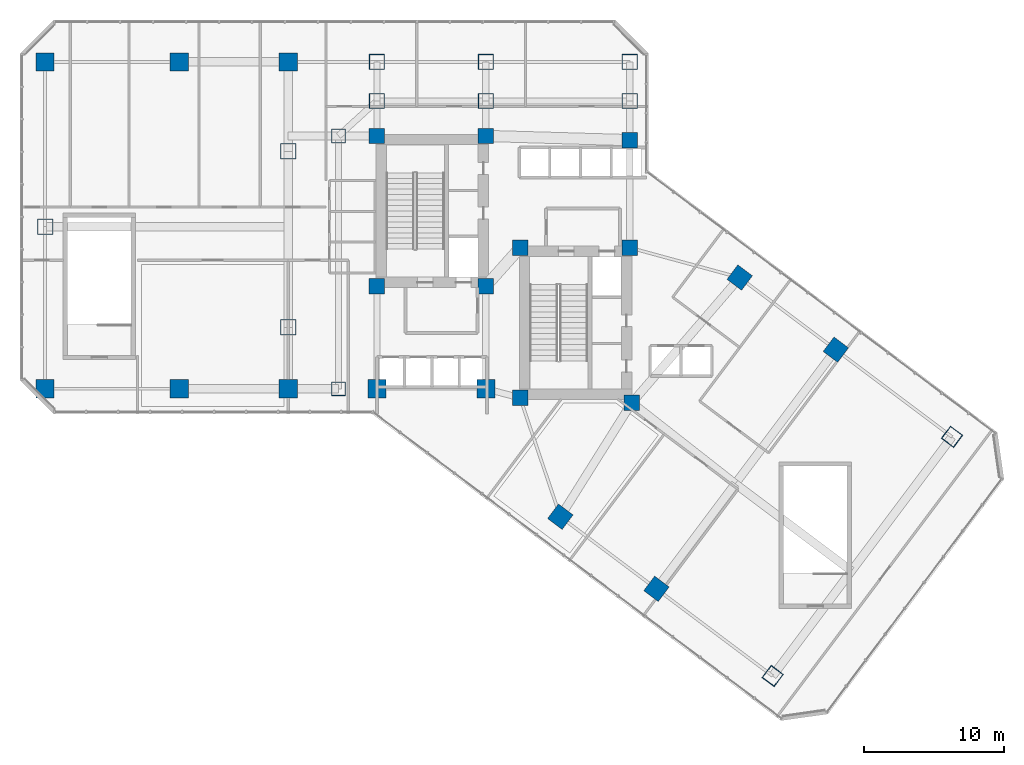
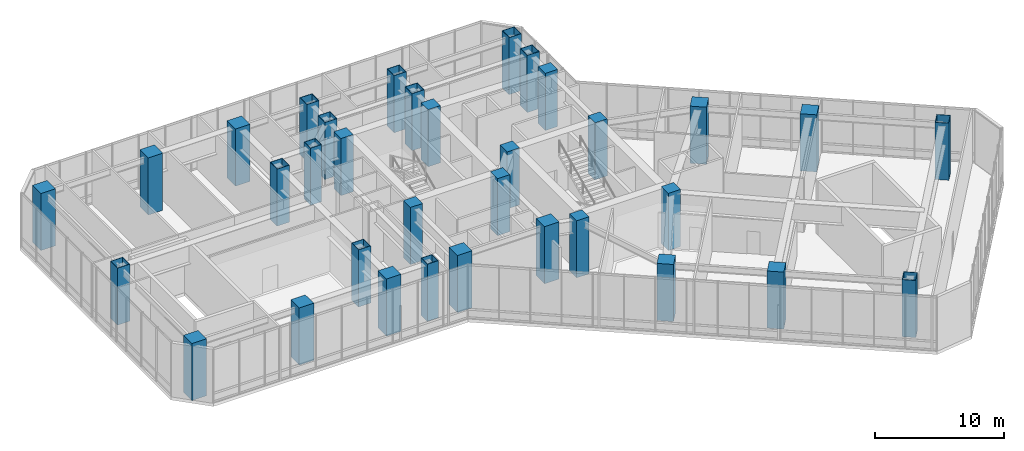
# One storey, part 1 of 38: 34 columns.
"""IFC4 building model written with IfcOpenShell, lengths in metres."""

from ifc_helpers import new_model, si_unit, direction, frame, origin, origin_2d, place, context, subcontext, project, spatial, rectangle, hollow_rectangle, extrude, material, material_profile, profile_set, type_object, element, save


model = new_model("IFC4")

# Units and contexts
model_context = context("Model", 3, precision=1e-05, world=origin(), true_north=direction((0.0, 1.0)))
body_context = subcontext(model_context, "Body", "Model", "MODEL_VIEW")
ifc_project = project(units=[si_unit("LENGTHUNIT", "METRE"), si_unit("AREAUNIT", "SQUARE_METRE"), si_unit("VOLUMEUNIT", "CUBIC_METRE"), si_unit("PLANEANGLEUNIT", "RADIAN"), si_unit("MASSUNIT", "GRAM", prefix="KILO")], contexts=[model_context])

# Site, building, storey
site_placement = place(None, origin())
site = spatial("IfcSite", under=ifc_project, at=site_placement, CompositionType="ELEMENT")
building_placement = place(site_placement, origin())
building = spatial("IfcBuilding", under=site, at=building_placement, Name="Hatsunagi Terrace Concourse", CompositionType="ELEMENT")
storey_placement = place(building_placement, frame((0.0, 0.0, 21.60009765625)))
storey = spatial("IfcBuildingStorey", under=building, at=storey_placement, Name="L05", CompositionType="ELEMENT", Elevation=21.60009765625)

# Columns
ifc_material_1 = material(Name="Concrete Fc60", Category="concrete")
ifc_material_profile_1 = material_profile(ifc_material_1, rectangle(XDim=1.10009765625, YDim=1.10009765625, at=origin_2d()), Name="RC-1100x1100")
ifc_profile_set_1 = profile_set([ifc_material_profile_1], Name="Concrete Fc60")
column_type_1 = type_object("IfcColumnType", Name="CoreColumn_RC_1100x1100", PredefinedType="COLUMN", material=ifc_profile_set_1)
for number, where, z_axis, x_axis, name in (
    (1, (25.550048828125, 32.550048828125, 0.0), (0.0, 0.0, 1.0), (1.0, 0.0, 0.0), "Column C-01 L05-CASW"),
    (2, (33.35009765625, 32.550048828125, 0.0), (0.0, 0.0, 1.0), (1.0, 0.0, 0.0), "Column C-01 L05-CASE"),
    (3, (25.550048828125, 43.300048828125, 0.0), (0.0, 0.0, 1.0), (1.0, 0.0, 0.0), "Column C-01 L05-CANW"),
    (4, (33.35009765625, 43.300048828125, 0.0), (0.0, 0.0, 1.0), (1.0, 0.0, 0.0), "Column C-01 L05-CANE"),
    (5, (35.800048828125, 24.550048828125, 0.0), (0.0, 0.0, 1.0), (1.0, 0.0, 0.0), "Column C-01 L05-CBSW"),
    (6, (43.800048828125, 24.199951171875, 0.0), (0.0, 0.0, 1.0), (1.0, 0.0, 0.0), "Column C-01 L05-CBSE"),
    (7, (35.800048828125, 35.300048828125, 0.0), (0.0, 0.0, 1.0), (1.0, 0.0, 0.0), "Column C-01 L05-CBNW"),
    (8, (43.64990234375, 35.300048828125, 0.0), (0.0, 0.0, 1.0), (1.0, 0.0, 0.0), "Column C-01 L05-CBNE"),
    (9, (43.64990234375, 43.0, 0.0), (0.0, 0.0, 1.0), (1.0, 0.0, 0.0), "Column C-01 L05-K3"),
):
    element("IfcColumn", number, at=place(storey_placement, frame(where, z_axis=z_axis, x_axis=x_axis)), inside=storey, type_object=column_type_1, Name=name, PredefinedType="COLUMN", context=body_context, shape_type="SweptSolid", body=[
        extrude(rectangle(XDim=1.10009765625, YDim=1.10009765625, at=origin_2d()), origin(), (0.0, 0.0, 1.0), 5.39990234375),
    ])
ifc_material_2 = material(Name="Steel BCP325T", Category="steel")
ifc_material_profile_2 = material_profile(ifc_material_2, hollow_rectangle(XDim=1.10009765625, YDim=1.10009765625, WallThickness=0.0400390625, at=origin_2d()), Name="BCP-1100x1100x40")
ifc_profile_set_2 = profile_set([ifc_material_profile_2], Name="Steel BCP325T")
column_type_2 = type_object("IfcColumnType", Name="MegaColumn_BCP_1100x1100x40", PredefinedType="COLUMN", material=ifc_profile_set_2)
for number, where, z_axis, x_axis, name in (
    (10, (25.550048828125, 45.800048828125, 0.0), (0.0, 0.0, 1.0), (1.0, 0.0, 0.0), "Mega column MC-02 L05-CN1"),
    (11, (33.35009765625, 45.800048828125, 0.0), (0.0, 0.0, 1.0), (1.0, 0.0, 0.0), "Mega column MC-02 L05-CN2"),
    (12, (43.64990234375, 45.800048828125, 0.0), (0.0, 0.0, 1.0), (1.0, 0.0, 0.0), "Mega column MC-02 L05-CN3"),
    (13, (1.800048828125, 36.800048828125, 0.0), (0.0, 0.0, 1.0), (1.0, 0.0, 0.0), "Mega column MC-02 L05-WM0"),
    (14, (25.550048828125, 48.60009765625, 0.0), (0.0, 0.0, 1.0), (1.0, 0.0, 0.0), "Mega column MC-02 L05-WN4"),
    (15, (33.35009765625, 48.60009765625, 0.0), (0.0, 0.0, 1.0), (1.0, 0.0, 0.0), "Mega column MC-02 L05-WN5"),
    (16, (43.64990234375, 48.60009765625, 0.0), (0.0, 0.0, 1.0), (1.0, 0.0, 0.0), "Mega column MC-02 L05-WN6"),
    (17, (19.199951171875, 29.60009765625, 0.0), (0.0, 0.0, 1.0), (1.0, 0.0, 0.0), "Mega column MC-02 L05-WR1"),
    (18, (19.199951171875, 42.199951171875, 0.0), (0.0, 0.0, 1.0), (1.0, 0.0, 0.0), "Mega column MC-02 L05-WR2"),
    (19, (53.8798828125, 4.639892578125, 0.0), (0.0, 0.0, 1.0), (0.799999996291, -0.600000004945, 0.0), "Mega column MC-02 L05-SES3"),
    (20, (66.719970703125, 21.760009765625, 0.0), (0.0, 0.0, 1.0), (0.799999996291, -0.600000004945, 0.0), "Mega column MC-02 L05-SEN3"),
):
    element("IfcColumn", number, at=place(storey_placement, frame(where, z_axis=z_axis, x_axis=x_axis)), inside=storey, type_object=column_type_2, Name=name, PredefinedType="COLUMN", context=body_context, shape_type="SweptSolid", body=[
        extrude(hollow_rectangle(XDim=1.10009765625, YDim=1.10009765625, WallThickness=0.0400390625, at=origin_2d()), origin(), (0.0, 0.0, 1.0), 5.39990234375),
    ])
ifc_material_3 = material(Name="Concrete Fc60", Category="concrete")
ifc_material_profile_3 = material_profile(ifc_material_3, rectangle(XDim=1.300048828125, YDim=1.300048828125, at=origin_2d()), Name="RC-1300x1300")
ifc_profile_set_3 = profile_set([ifc_material_profile_3], Name="Concrete Fc60")
column_type_3 = type_object("IfcColumnType", Name="MegaColumn_RC_1300x1300", PredefinedType="COLUMN", material=ifc_profile_set_3)
for number, where, z_axis, x_axis, name in (
    (21, (25.550048828125, 25.199951171875, 0.0), (0.0, 0.0, 1.0), (1.0, 0.0, 0.0), "Mega column MC-01 L05-K1"),
    (22, (33.35009765625, 25.199951171875, 0.0), (0.0, 0.0, 1.0), (1.0, 0.0, 0.0), "Mega column MC-01 L05-K2"),
    (23, (1.800048828125, 25.199951171875, 0.0), (0.0, 0.0, 1.0), (1.0, 0.0, 0.0), "Mega column MC-01 L05-WS1"),
    (24, (1.800048828125, 48.60009765625, 0.0), (0.0, 0.0, 1.0), (1.0, 0.0, 0.0), "Mega column MC-01 L05-WN1"),
    (25, (11.39990234375, 25.199951171875, 0.0), (0.0, 0.0, 1.0), (1.0, 0.0, 0.0), "Mega column MC-01 L05-WS2"),
    (26, (11.39990234375, 48.60009765625, 0.0), (0.0, 0.0, 1.0), (1.0, 0.0, 0.0), "Mega column MC-01 L05-WN2"),
    (27, (19.199951171875, 48.60009765625, 0.0), (0.0, 0.0, 1.0), (1.0, 0.0, 0.0), "Mega column MC-01 L05-WN3"),
    (28, (19.199951171875, 25.199951171875, 0.0), (0.0, 0.0, 1.0), (1.0, 0.0, 0.0), "Mega column MC-01 L05-WS3"),
    (29, (38.679931640625, 16.0400390625, 0.0), (0.0, 0.0, 1.0), (0.799999996291, -0.600000004945, 0.0), "Mega column MC-01 L05-SES1"),
    (30, (51.52001953125, 33.159912109375, 0.0), (0.0, 0.0, 1.0), (0.799999996291, -0.600000004945, 0.0), "Mega column MC-01 L05-SEN1"),
    (31, (45.56005859375, 10.8798828125, 0.0), (0.0, 0.0, 1.0), (0.799999996291, -0.600000004945, 0.0), "Mega column MC-01 L05-SES2"),
    (32, (58.39990234375, 28.0, 0.0), (0.0, 0.0, 1.0), (0.799999996291, -0.600000004945, 0.0), "Mega column MC-01 L05-SEN2"),
):
    element("IfcColumn", number, at=place(storey_placement, frame(where, z_axis=z_axis, x_axis=x_axis)), inside=storey, type_object=column_type_3, Name=name, PredefinedType="COLUMN", context=body_context, shape_type="SweptSolid", body=[
        extrude(rectangle(XDim=1.300048828125, YDim=1.300048828125, at=origin_2d()), origin(), (0.0, 0.0, 1.0), 5.39990234375),
    ])
ifc_material_4 = material(Name="Steel BCP325T", Category="steel")
ifc_material_profile_4 = material_profile(ifc_material_4, hollow_rectangle(XDim=1.0, YDim=1.0, WallThickness=0.0380859375, at=origin_2d()), Name="BCP-1000x1000x38")
ifc_profile_set_4 = profile_set([ifc_material_profile_4], Name="Steel BCP325T")
column_type_4 = type_object("IfcColumnType", Name="TowerBoxColumn_1000x1000x38", PredefinedType="COLUMN", material=ifc_profile_set_4)
for number, where, z_axis, x_axis, name in (
    (33, (22.800048828125, 25.199951171875, 0.0), (0.0, 0.0, 1.0), (1.0, 0.0, 0.0), "Column C-03 L05-CW1"),
    (34, (22.800048828125, 43.300048828125, 0.0), (0.0, 0.0, 1.0), (1.0, 0.0, 0.0), "Column C-03 L05-CW2"),
):
    element("IfcColumn", number, at=place(storey_placement, frame(where, z_axis=z_axis, x_axis=x_axis)), inside=storey, type_object=column_type_4, Name=name, PredefinedType="COLUMN", context=body_context, shape_type="SweptSolid", body=[
        extrude(hollow_rectangle(XDim=1.0, YDim=1.0, WallThickness=0.0380859375, at=origin_2d()), origin(), (0.0, 0.0, 1.0), 5.39990234375),
    ])

save(model, "model.ifc")
